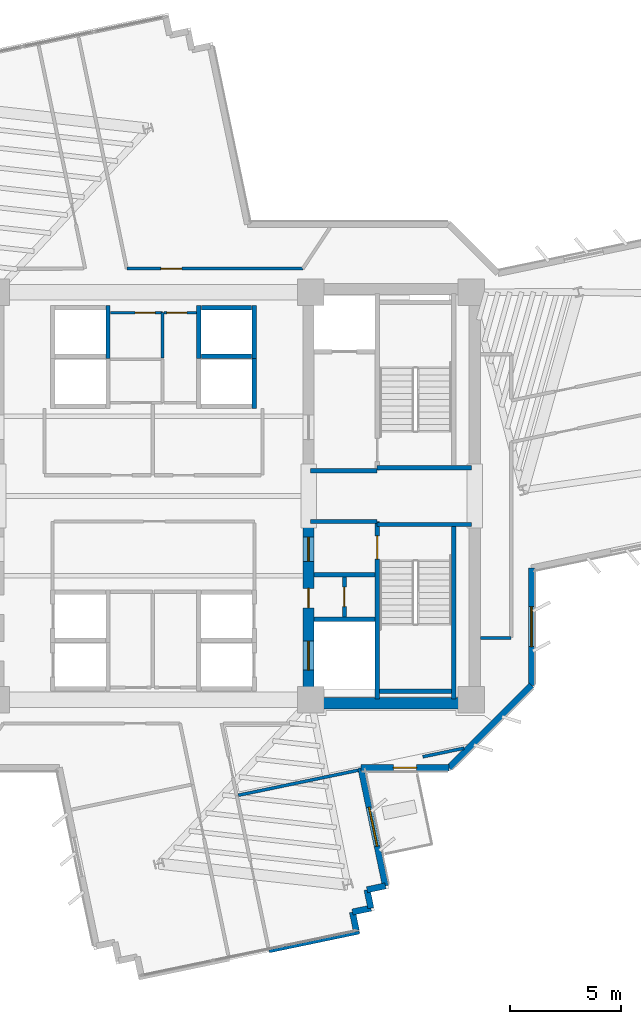
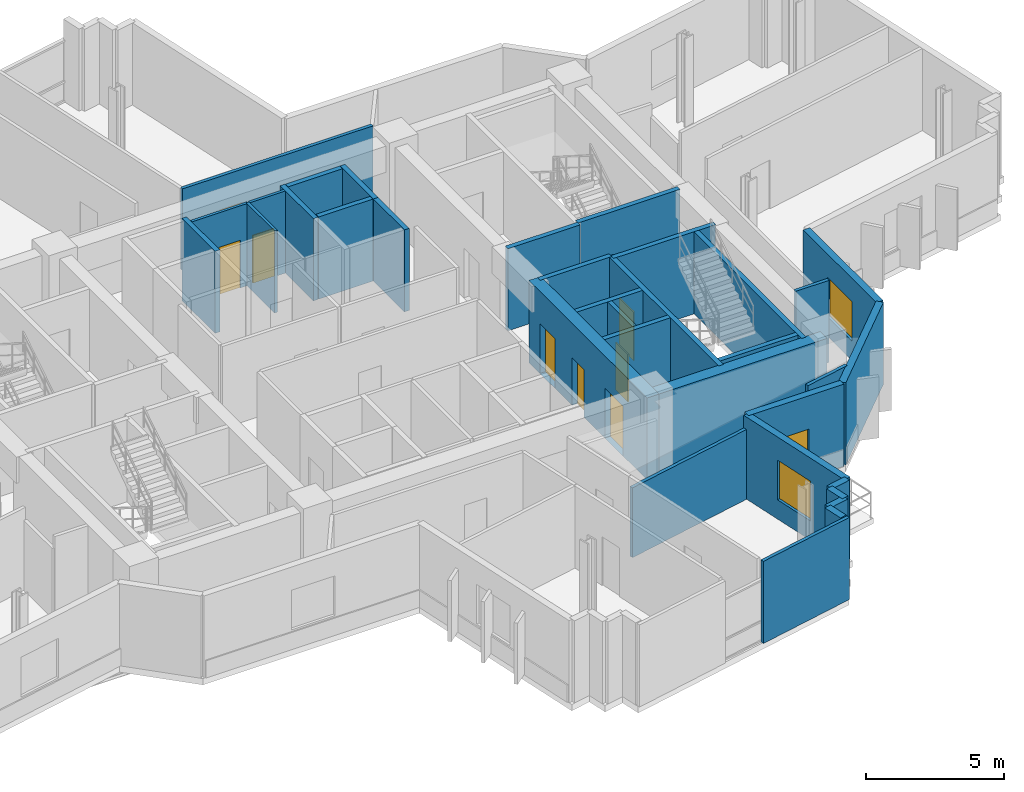
# One storey, part 9 of 14: 34 walls, 9 doors, 2 windows, 11 openings.
"""IFC4 building model written with IfcOpenShell, lengths in metres."""

from ifc_helpers import new_model, si_unit, direction, frame, frame_2d, origin, place, context, subcontext, project, spatial, rectangle, extrude, source, transform, mapped, material, layer, layer_set, type_object, element, fill, save


model = new_model("IFC4")

# Units and contexts
model_context = context("Model", 3, precision=1e-05, world=origin(), true_north=direction((0.0, 1.0)))
body_context = subcontext(model_context, "Body", "Model", "MODEL_VIEW")
ifc_project = project(units=[si_unit("LENGTHUNIT", "METRE"), si_unit("AREAUNIT", "SQUARE_METRE"), si_unit("VOLUMEUNIT", "CUBIC_METRE"), si_unit("PLANEANGLEUNIT", "RADIAN"), si_unit("MASSUNIT", "GRAM", prefix="KILO")], contexts=[model_context])

# Site, building, storey
site_placement = place(None, origin())
site = spatial("IfcSite", under=ifc_project, at=site_placement, CompositionType="ELEMENT")
building_placement = place(site_placement, origin())
building = spatial("IfcBuilding", under=site, at=building_placement, Name="Zahravan Cultural Tower", CompositionType="ELEMENT")
storey_placement = place(building_placement, frame((0.0, 0.0, 162.89990234375)))
storey = spatial("IfcBuildingStorey", under=building, at=storey_placement, Name="L37", CompositionType="ELEMENT", Elevation=162.89990234375)

# Wall, openings, doors
ifc_material_1 = material(Name="Concrete C60/75", Category="concrete")
ifc_layer_1 = layer(ifc_material_1, 0.5)
ifc_layer_set_1 = layer_set([ifc_layer_1], Name="Concrete C60/75")
wall_type_1 = type_object("IfcWallType", Name="CW-SHEAR-500-C60", PredefinedType="SHEAR", material=ifc_layer_set_1)
wall_1_placement = place(storey_placement, frame((43.0, 17.39990234375, 0.0), z_axis=(0.0, 0.0, 1.0), x_axis=(0.0, 1.0, 0.0)))
wall_1 = element("IfcWall", 1, at=wall_1_placement, inside=storey, type_object=wall_type_1, Name="L37 Core Shear Wall CW-E-WS-L37", PredefinedType="SHEAR", context=body_context, shape_type="SweptSolid", body=[
    extrude(rectangle(XDim=8.550048828125, YDim=0.5, at=frame_2d((4.27490234375, 0.0))), origin(), (0.0, 0.0, 1.0), 3.6201171875),
])
opening_1_placement = place(wall_1_placement, frame((6.64990234375, 0.0, 0.0)))
opening_1 = element("IfcOpeningElement", 2, at=opening_1_placement, cuts=wall_1, Name="Opening D-L37-08", PredefinedType="OPENING", context=body_context, shape_type="SweptSolid", body=[
    extrude(rectangle(XDim=1.10009765625, YDim=2.199951171875, at=frame_2d((0.550048828125, 1.10009765625))), frame((0.0, 0.260009765625, 0.0), z_axis=(0.0, -1.0, 0.0), x_axis=(1.0, 0.0, 0.0)), (0.0, 0.0, 1.0), 0.52001953125),
])
opening_2_placement = place(wall_1_placement, frame((1.75, 0.0, 0.0)))
opening_2 = element("IfcOpeningElement", 3, at=opening_2_placement, cuts=wall_1, Name="Opening LD-L37-03", PredefinedType="OPENING", context=body_context, shape_type="SweptSolid", body=[
    extrude(rectangle(XDim=1.300048828125, YDim=2.199951171875, at=frame_2d((0.64990234375, 1.10009765625))), frame((0.0, 0.260009765625, 0.0), z_axis=(0.0, -1.0, 0.0), x_axis=(1.0, 0.0, 0.0)), (0.0, 0.0, 1.0), 0.52001953125),
])
opening_3_placement = place(wall_1_placement, frame((4.550048828125, 0.0, 0.0)))
opening_3 = element("IfcOpeningElement", 4, at=opening_3_placement, cuts=wall_1, Name="Opening D-L37-11", PredefinedType="OPENING", context=body_context, shape_type="SweptSolid", body=[
    extrude(rectangle(XDim=0.8798828125, YDim=2.10009765625, at=frame_2d((0.43994140625, 1.050048828125))), frame((0.0, 0.260009765625, 0.0), z_axis=(0.0, -1.0, 0.0), x_axis=(1.0, 0.0, 0.0)), (0.0, 0.0, 1.0), 0.52001953125),
])
ifc_material_2 = material(Name="Steel ASTM A572 Grade 50", Category="steel")
door_type_1 = type_object("IfcDoorType", Name="DR-LOBBY-1100", OperationType="NOTDEFINED", PredefinedType="DOOR", material=ifc_material_2)
shared_shape_1 = source(origin(), body_context, "Body", "SweptSolid", [
    extrude(rectangle(XDim=1.10009765625, YDim=2.199951171875, at=frame_2d((0.550048828125, 1.10009765625))), frame((0.0, 0.02490234375, 0.0), z_axis=(0.0, -1.0, 0.0), x_axis=(1.0, 0.0, 0.0)), (0.0, 0.0, 1.0), 0.050048828125),
])
door_1_placement = place(opening_1_placement, origin())
door_1 = element("IfcDoor", 5, at=door_1_placement, inside=storey, type_object=door_type_1, Name="L37 Door D-L37-08", OperationType="SINGLE_SWING_RIGHT", OverallHeight=2.199951171875, OverallWidth=1.10009765625, PredefinedType="DOOR", context=body_context, shape_type="MappedRepresentation", body=[
    mapped(shared_shape_1, transform((0.0, 0.0, 0.0), x_axis=(1.0, 0.0, 0.0), y_axis=(0.0, 1.0, 0.0), z_axis=(0.0, 0.0, 1.0), scale=1.0)),
])
fill(opening_1, door_1)
door_type_2 = type_object("IfcDoorType", Name="DR-LIFT-1300", OperationType="DOUBLE_DOOR_SLIDING", PredefinedType="DOOR", material=ifc_material_2)
shared_shape_2 = source(origin(), body_context, "Body", "SweptSolid", [
    extrude(rectangle(XDim=1.300048828125, YDim=2.199951171875, at=frame_2d((0.64990234375, 1.10009765625))), frame((0.0, 0.02490234375, 0.0), z_axis=(0.0, -1.0, 0.0), x_axis=(1.0, 0.0, 0.0)), (0.0, 0.0, 1.0), 0.050048828125),
])
door_2_placement = place(opening_2_placement, origin())
door_2 = element("IfcDoor", 6, at=door_2_placement, inside=storey, type_object=door_type_2, Name="L37 Door LD-L37-03", OperationType="DOUBLE_DOOR_SLIDING", OverallHeight=2.199951171875, OverallWidth=1.300048828125, PredefinedType="DOOR", context=body_context, shape_type="MappedRepresentation", body=[
    mapped(shared_shape_2, transform((0.0, 0.0, 0.0), x_axis=(1.0, 0.0, 0.0), y_axis=(0.0, 1.0, 0.0), z_axis=(0.0, 0.0, 1.0), scale=1.0)),
])
fill(opening_2, door_2)
door_type_3 = type_object("IfcDoorType", Name="DR-SVC-880", OperationType="NOTDEFINED", PredefinedType="DOOR", material=ifc_material_2)
shared_shape_3 = source(origin(), body_context, "Body", "SweptSolid", [
    extrude(rectangle(XDim=0.8798828125, YDim=2.10009765625, at=frame_2d((0.43994140625, 1.050048828125))), frame((0.0, 0.02490234375, 0.0), z_axis=(0.0, -1.0, 0.0), x_axis=(1.0, 0.0, 0.0)), (0.0, 0.0, 1.0), 0.050048828125),
])
door_3_placement = place(opening_3_placement, origin())
door_3 = element("IfcDoor", 7, at=door_3_placement, inside=storey, type_object=door_type_3, Name="L37 Door D-L37-11", OperationType="SINGLE_SWING_LEFT", OverallHeight=2.10009765625, OverallWidth=0.8798828125, PredefinedType="DOOR", context=body_context, shape_type="MappedRepresentation", body=[
    mapped(shared_shape_3, transform((0.0, 0.0, 0.0), x_axis=(1.0, 0.0, 0.0), y_axis=(0.0, 1.0, 0.0), z_axis=(0.0, 0.0, 1.0), scale=1.0)),
])
fill(opening_3, door_3)

# Wall, opening, window
ifc_material_3 = material(Name="Precast concrete C40/50", Category="concrete")
ifc_layer_2 = layer(ifc_material_3, 0.280029296875)
ifc_layer_set_2 = layer_set([ifc_layer_2], Name="Precast concrete C40/50")
wall_type_2 = type_object("IfcWallType", Name="EW-TC-280", PredefinedType="SOLIDWALL", material=ifc_layer_set_2)
wall_2_placement = place(storey_placement, frame((53.06005859375, 23.75439453125, 0.0), z_axis=(0.0, 0.0, 1.0), x_axis=(0.0, -1.0, 0.0)))
wall_2 = element("IfcWall", 8, at=wall_2_placement, inside=storey, type_object=wall_type_2, Name="L37 Exterior Masonry Frame Wall 12", PredefinedType="SOLIDWALL", context=body_context, shape_type="SweptSolid", body=[
    extrude(rectangle(XDim=5.29638671875, YDim=0.280029296875, at=frame_2d((2.648193359375, 0.0))), origin(), (0.0, 0.0, 1.0), 3.6201171875),
])
opening_4_placement = place(wall_2_placement, frame((1.748046875, 0.0, 0.85009765625)))
opening_4 = element("IfcOpeningElement", 9, at=opening_4_placement, cuts=wall_2, Name="Opening WN-02", PredefinedType="OPENING", context=body_context, shape_type="SweptSolid", body=[
    extrude(rectangle(XDim=1.800048828125, YDim=1.75, at=frame_2d((0.89990234375, 0.875))), frame((0.0, 0.14990234375, 0.0), z_axis=(0.0, -1.0, 0.0), x_axis=(1.0, 0.0, 0.0)), (0.0, 0.0, 1.0), 0.300048828125),
])
ifc_material_4 = material(Name="Low-E solar-control double glazing", Category="glass")
window_type = type_object("IfcWindowType", Name="WN-REC-1800X1750", PartitioningType="DOUBLE_PANEL_VERTICAL", PredefinedType="WINDOW", material=ifc_material_4)
shared_shape_4 = source(origin(), body_context, "Body", "SweptSolid", [
    extrude(rectangle(XDim=1.800048828125, YDim=1.75, at=frame_2d((0.89990234375, 0.875))), frame((0.0, 0.030029296875, 0.0), z_axis=(0.0, -1.0, 0.0), x_axis=(1.0, 0.0, 0.0)), (0.0, 0.0, 1.0), 0.06005859375),
])
window_1_placement = place(opening_4_placement, origin())
window_1 = element("IfcWindow", 10, at=window_1_placement, inside=storey, type_object=window_type, Name="L37 Recessed Solar Window 03", OverallHeight=1.75, OverallWidth=1.800048828125, PartitioningType="DOUBLE_PANEL_VERTICAL", PredefinedType="WINDOW", context=body_context, shape_type="MappedRepresentation", body=[
    mapped(shared_shape_4, transform((0.0, 0.0, 0.0), x_axis=(1.0, 0.0, 0.0), y_axis=(0.0, 1.0, 0.0), z_axis=(0.0, 0.0, 1.0), scale=1.0)),
])
fill(opening_4, window_1)

# Wall, opening, door
wall_3_placement = place(storey_placement, frame((49.342041015625, 14.739990234375, 0.0), z_axis=(0.0, 0.0, 1.0), x_axis=(-1.0, 0.0, 0.0)))
wall_3 = element("IfcWall", 11, at=wall_3_placement, inside=storey, type_object=wall_type_2, Name="L37 Exterior Masonry Frame Wall 14", PredefinedType="SOLIDWALL", context=body_context, shape_type="SweptSolid", body=[
    extrude(rectangle(XDim=3.98193359375, YDim=0.280029296875, at=frame_2d((1.990966796875, 0.0))), origin(), (0.0, 0.0, 1.0), 3.6201171875),
])
opening_5_placement = place(wall_3_placement, frame((1.466064453125, 0.0, 0.0)))
opening_5 = element("IfcOpeningElement", 12, at=opening_5_placement, cuts=wall_3, Name="Opening D-L37-TR-SE", PredefinedType="OPENING", context=body_context, shape_type="SweptSolid", body=[
    extrude(rectangle(XDim=1.050048828125, YDim=2.14990234375, at=frame_2d((0.52490234375, 1.074951171875))), frame((0.0, 0.14990234375, 0.0), z_axis=(0.0, -1.0, 0.0), x_axis=(1.0, 0.0, 0.0)), (0.0, 0.0, 1.0), 0.300048828125),
])
ifc_material_5 = material(Name="Anodised bronze-aluminium mullion", Category="aluminium")
door_type_4 = type_object("IfcDoorType", Name="DR-TERR-1050", OperationType="NOTDEFINED", PredefinedType="DOOR", material=ifc_material_5)
shared_shape_5 = source(origin(), body_context, "Body", "SweptSolid", [
    extrude(rectangle(XDim=1.050048828125, YDim=2.14990234375, at=frame_2d((0.52490234375, 1.074951171875))), frame((0.0, 0.02490234375, 0.0), z_axis=(0.0, -1.0, 0.0), x_axis=(1.0, 0.0, 0.0)), (0.0, 0.0, 1.0), 0.050048828125),
])
door_4_placement = place(opening_5_placement, origin())
door_4 = element("IfcDoor", 13, at=door_4_placement, inside=storey, type_object=door_type_4, Name="L37 Terrace Access Door SE", OperationType="SINGLE_SWING_RIGHT", OverallHeight=2.14990234375, OverallWidth=1.050048828125, PredefinedType="DOOR", context=body_context, shape_type="MappedRepresentation", body=[
    mapped(shared_shape_5, transform((0.0, 0.0, 0.0), x_axis=(1.0, 0.0, 0.0), y_axis=(0.0, 1.0, 0.0), z_axis=(0.0, 0.0, 1.0), scale=1.0)),
])
fill(opening_5, door_4)

# Wall, opening, window
wall_4_placement = place(storey_placement, frame((45.360107421875, 14.739990234375, 0.0), z_axis=(0.0, 0.0, 1.0), x_axis=(0.204151126022, -0.978939384101, 0.0)))
wall_4 = element("IfcWall", 14, at=wall_4_placement, inside=storey, type_object=wall_type_2, Name="L37 Exterior Masonry Frame Wall 15", PredefinedType="SOLIDWALL", context=body_context, shape_type="SweptSolid", body=[
    extrude(rectangle(XDim=5.447265625, YDim=0.280029296875, at=frame_2d((2.7236328125, 0.0))), origin(), (0.0, 0.0, 1.0), 3.6201171875),
])
opening_6_placement = place(wall_4_placement, frame((1.823974609375, 0.0, 0.85009765625)))
opening_6 = element("IfcOpeningElement", 15, at=opening_6_placement, cuts=wall_4, Name="Opening WN-02", PredefinedType="OPENING", context=body_context, shape_type="SweptSolid", body=[
    extrude(rectangle(XDim=1.800048828125, YDim=1.75, at=frame_2d((0.89990234375, 0.875))), frame((0.0, 0.14990234375, 0.0), z_axis=(0.0, -1.0, 0.0), x_axis=(1.0, 0.0, 0.0)), (0.0, 0.0, 1.0), 0.300048828125),
])
window_2_placement = place(opening_6_placement, origin())
window_2 = element("IfcWindow", 16, at=window_2_placement, inside=storey, type_object=window_type, Name="L37 Recessed Solar Window 04", OverallHeight=1.75, OverallWidth=1.800048828125, PartitioningType="DOUBLE_PANEL_VERTICAL", PredefinedType="WINDOW", context=body_context, shape_type="MappedRepresentation", body=[
    mapped(shared_shape_4, transform((0.0, 0.0, 0.0), x_axis=(1.0, 0.0, 0.0), y_axis=(0.0, 1.0, 0.0), z_axis=(0.0, 0.0, 1.0), scale=1.0)),
])
fill(opening_6, window_2)

# Wall, opening, door
ifc_material_6 = material(Name="Gypsum plasterboard partition")
ifc_layer_3 = layer(ifc_material_6, 0.179931640625)
ifc_layer_set_3 = layer_set([ifc_layer_3], Name="Gypsum plasterboard partition")
wall_type_3 = type_object("IfcWallType", Name="W-COMP-180", PredefinedType="PARTITIONING", material=ifc_layer_set_3)
wall_5_placement = place(storey_placement, frame((44.6201171875, 21.550048828125, 0.0), z_axis=(0.0, 0.0, 1.0), x_axis=(0.0, 1.0, 0.0)))
wall_5 = element("IfcWall", 17, at=wall_5_placement, inside=storey, type_object=wall_type_3, Name="L37 Interior Wall 027", PredefinedType="PARTITIONING", context=body_context, shape_type="SweptSolid", body=[
    extrude(rectangle(XDim=1.800048828125, YDim=0.179931640625, at=frame_2d((0.89990234375, 0.0))), origin(), (0.0, 0.0, 1.0), 3.6201171875),
])
opening_7_placement = place(wall_5_placement, frame((0.4599609375, 0.0, 0.0)))
opening_7 = element("IfcOpeningElement", 18, at=opening_7_placement, cuts=wall_5, Name="Opening D-L37-12", PredefinedType="OPENING", context=body_context, shape_type="SweptSolid", body=[
    extrude(rectangle(XDim=0.8798828125, YDim=2.10009765625, at=frame_2d((0.43994140625, 1.050048828125))), frame((0.0, 0.099853515625, 0.0), z_axis=(0.0, -1.0, 0.0), x_axis=(1.0, 0.0, 0.0)), (0.0, 0.0, 1.0), 0.199951171875),
])
door_5_placement = place(opening_7_placement, origin())
door_5 = element("IfcDoor", 19, at=door_5_placement, inside=storey, type_object=door_type_3, Name="L37 Door D-L37-12", OperationType="SINGLE_SWING_RIGHT", OverallHeight=2.10009765625, OverallWidth=0.8798828125, PredefinedType="DOOR", context=body_context, shape_type="MappedRepresentation", body=[
    mapped(shared_shape_3, transform((0.0, 0.0, 0.0), x_axis=(1.0, 0.0, 0.0), y_axis=(0.0, 1.0, 0.0), z_axis=(0.0, 0.0, 1.0), scale=1.0)),
])
fill(opening_7, door_5)

ifc_layer_4 = layer(ifc_material_6, 0.139892578125)
ifc_layer_set_4 = layer_set([ifc_layer_4], Name="Gypsum plasterboard partition")
wall_type_4 = type_object("IfcWallType", Name="W-PART-140", PredefinedType="PARTITIONING", material=ifc_layer_set_4)
wall_6_placement = place(storey_placement, frame((42.7421875, 37.260009765625, 0.0), z_axis=(0.0, 0.0, 1.0), x_axis=(-1.0, 0.0, 0.0)))
wall_6 = element("IfcWall", 20, at=wall_6_placement, inside=storey, type_object=wall_type_4, Name="L37 Interior Wall 088", PredefinedType="PARTITIONING", context=body_context, shape_type="SweptSolid", body=[
    extrude(rectangle(XDim=7.942138671875, YDim=0.139892578125, at=frame_2d((3.97119140625, 0.0))), origin(), (0.0, 0.0, 1.0), 3.6201171875),
])
opening_8_placement = place(wall_6_placement, frame((5.453857421875, 0.0, 0.0)))
opening_8 = element("IfcOpeningElement", 21, at=opening_8_placement, cuts=wall_6, Name="Opening D-L37-22", PredefinedType="OPENING", context=body_context, shape_type="SweptSolid", body=[
    extrude(rectangle(XDim=0.949951171875, YDim=2.14990234375, at=frame_2d((0.47509765625, 1.074951171875))), frame((0.0, 0.079833984375, 0.0), z_axis=(0.0, -1.0, 0.0), x_axis=(1.0, 0.0, 0.0)), (0.0, 0.0, 1.0), 0.159912109375),
])
door_type_5 = type_object("IfcDoorType", Name="DR-ROOM-950", OperationType="NOTDEFINED", PredefinedType="DOOR", material=ifc_material_5)
shared_shape_6 = source(origin(), body_context, "Body", "SweptSolid", [
    extrude(rectangle(XDim=0.949951171875, YDim=2.14990234375, at=frame_2d((0.47509765625, 1.074951171875))), frame((0.0, 0.02490234375, 0.0), z_axis=(0.0, -1.0, 0.0), x_axis=(1.0, 0.0, 0.0)), (0.0, 0.0, 1.0), 0.050048828125),
])
door_6_placement = place(opening_8_placement, origin())
door_6 = element("IfcDoor", 22, at=door_6_placement, inside=storey, type_object=door_type_5, Name="L37 Door D-L37-22", OperationType="SINGLE_SWING_RIGHT", OverallHeight=2.14990234375, OverallWidth=0.949951171875, PredefinedType="DOOR", context=body_context, shape_type="MappedRepresentation", body=[
    mapped(shared_shape_6, transform((0.0, 0.0, 0.0), x_axis=(1.0, 0.0, 0.0), y_axis=(0.0, 1.0, 0.0), z_axis=(0.0, 0.0, 1.0), scale=1.0)),
])
fill(opening_8, door_6)

ifc_material_7 = material(Name="Concrete C45/55", Category="concrete")
ifc_layer_5 = layer(ifc_material_7, 0.199951171875)
ifc_layer_set_5 = layer_set([ifc_layer_5], Name="Concrete C45/55")
wall_type_5 = type_object("IfcWallType", Name="W-SHAFT-200", PredefinedType="SOLIDWALL", material=ifc_layer_set_5)
wall_7_placement = place(storey_placement, frame((46.10009765625, 17.85009765625, 0.0), z_axis=(0.0, 0.0, 1.0), x_axis=(0.0, 1.0, 0.0)))
wall_7 = element("IfcWall", 23, at=wall_7_placement, inside=storey, type_object=wall_type_5, Name="L37 Interior Wall 007", PredefinedType="SOLIDWALL", context=body_context, shape_type="SweptSolid", body=[
    extrude(rectangle(XDim=8.0, YDim=0.199951171875, at=frame_2d((4.0, 0.0))), origin(), (0.0, 0.0, 1.0), 3.6201171875),
])
opening_9_placement = place(wall_7_placement, frame((6.300048828125, 0.0, 0.0)))
opening_9 = element("IfcOpeningElement", 24, at=opening_9_placement, cuts=wall_7, Name="Opening D-L37-03", PredefinedType="OPENING", context=body_context, shape_type="SweptSolid", body=[
    extrude(rectangle(XDim=1.050048828125, YDim=2.14990234375, at=frame_2d((0.52490234375, 1.074951171875))), frame((0.0, 0.10986328125, 0.0), z_axis=(0.0, -1.0, 0.0), x_axis=(1.0, 0.0, 0.0)), (0.0, 0.0, 1.0), 0.219970703125),
])
door_type_6 = type_object("IfcDoorType", Name="DR-STAIR-1050", OperationType="NOTDEFINED", PredefinedType="DOOR", material=ifc_material_2)
door_7_placement = place(opening_9_placement, origin())
door_7 = element("IfcDoor", 25, at=door_7_placement, inside=storey, type_object=door_type_6, Name="L37 Door D-L37-03", OperationType="SINGLE_SWING_LEFT", OverallHeight=2.14990234375, OverallWidth=1.050048828125, PredefinedType="DOOR", context=body_context, shape_type="MappedRepresentation", body=[
    mapped(shared_shape_5, transform((0.0, 0.0, 0.0), x_axis=(1.0, 0.0, 0.0), y_axis=(0.0, 1.0, 0.0), z_axis=(0.0, 0.0, 1.0), scale=1.0)),
])
fill(opening_9, door_7)

ifc_layer_6 = layer(ifc_material_6, 0.114990234375)
ifc_layer_set_6 = layer_set([ifc_layer_6], Name="Gypsum plasterboard partition")
wall_type_6 = type_object("IfcWallType", Name="W-WC-115", PredefinedType="PARTITIONING", material=ifc_layer_set_6)
wall_8_placement = place(storey_placement, frame((34.054931640625, 35.280029296875, 0.0), z_axis=(0.0, 0.0, 1.0), x_axis=(1.0, 0.0, 0.0)))
wall_8 = element("IfcWall", 26, at=wall_8_placement, inside=storey, type_object=wall_type_6, Name="L37 Interior Wall 059", PredefinedType="PARTITIONING", context=body_context, shape_type="SweptSolid", body=[
    extrude(rectangle(XDim=2.35498046875, YDim=0.114990234375, at=frame_2d((1.177490234375, 0.0))), origin(), (0.0, 0.0, 1.0), 3.6201171875),
])
opening_10_placement = place(wall_8_placement, frame((1.120849609375, 0.0, 0.0)))
opening_10 = element("IfcOpeningElement", 27, at=opening_10_placement, cuts=wall_8, Name="Opening D-L37-14", PredefinedType="OPENING", context=body_context, shape_type="SweptSolid", body=[
    extrude(rectangle(XDim=0.89990234375, YDim=2.10009765625, at=frame_2d((0.449951171875, 1.050048828125))), frame((0.0, 0.0673828125, 0.0), z_axis=(0.0, -1.0, 0.0), x_axis=(1.0, 0.0, 0.0)), (0.0, 0.0, 1.0), 0.135009765625),
])
door_type_7 = type_object("IfcDoorType", Name="DR-WC-900", OperationType="NOTDEFINED", PredefinedType="DOOR", material=ifc_material_5)
shared_shape_7 = source(origin(), body_context, "Body", "SweptSolid", [
    extrude(rectangle(XDim=0.89990234375, YDim=2.10009765625, at=frame_2d((0.449951171875, 1.050048828125))), frame((0.0, 0.02490234375, 0.0), z_axis=(0.0, -1.0, 0.0), x_axis=(1.0, 0.0, 0.0)), (0.0, 0.0, 1.0), 0.050048828125),
])
door_8_placement = place(opening_10_placement, origin())
door_8 = element("IfcDoor", 28, at=door_8_placement, inside=storey, type_object=door_type_7, Name="L37 Door D-L37-14", OperationType="SINGLE_SWING_RIGHT", OverallHeight=2.10009765625, OverallWidth=0.89990234375, PredefinedType="DOOR", context=body_context, shape_type="MappedRepresentation", body=[
    mapped(shared_shape_7, transform((0.0, 0.0, 0.0), x_axis=(1.0, 0.0, 0.0), y_axis=(0.0, 1.0, 0.0), z_axis=(0.0, 0.0, 1.0), scale=1.0)),
])
fill(opening_10, door_8)

wall_9_placement = place(storey_placement, frame((36.472412109375, 35.280029296875, 0.0), z_axis=(0.0, 0.0, 1.0), x_axis=(1.0, 0.0, 0.0)))
wall_9 = element("IfcWall", 29, at=wall_9_placement, inside=storey, type_object=wall_type_6, Name="L37 Interior Wall 062", PredefinedType="PARTITIONING", context=body_context, shape_type="SweptSolid", body=[
    extrude(rectangle(XDim=1.47265625, YDim=0.114990234375, at=frame_2d((0.736328125, 0.0))), origin(), (0.0, 0.0, 1.0), 3.6201171875),
])
opening_11_placement = place(wall_9_placement, frame((0.139892578125, 0.0, 0.0)))
opening_11 = element("IfcOpeningElement", 30, at=opening_11_placement, cuts=wall_9, Name="Opening D-L37-15", PredefinedType="OPENING", context=body_context, shape_type="SweptSolid", body=[
    extrude(rectangle(XDim=0.89990234375, YDim=2.10009765625, at=frame_2d((0.449951171875, 1.050048828125))), frame((0.0, 0.0673828125, 0.0), z_axis=(0.0, -1.0, 0.0), x_axis=(1.0, 0.0, 0.0)), (0.0, 0.0, 1.0), 0.135009765625),
])
door_9_placement = place(opening_11_placement, origin())
door_9 = element("IfcDoor", 31, at=door_9_placement, inside=storey, type_object=door_type_7, Name="L37 Door D-L37-15", OperationType="SINGLE_SWING_LEFT", OverallHeight=2.10009765625, OverallWidth=0.89990234375, PredefinedType="DOOR", context=body_context, shape_type="MappedRepresentation", body=[
    mapped(shared_shape_7, transform((0.0, 0.0, 0.0), x_axis=(1.0, 0.0, 0.0), y_axis=(0.0, 1.0, 0.0), z_axis=(0.0, 0.0, 1.0), scale=1.0)),
])
fill(opening_11, door_9)

# Walls
shared_shape_8 = source(origin(), body_context, "Body", "SweptSolid", [
    extrude(rectangle(XDim=7.0, YDim=0.5, at=frame_2d((3.5, 0.0))), origin(), (0.0, 0.0, 1.0), 3.6201171875),
])
wall_10_placement = place(storey_placement, frame((43.25, 17.64990234375, 0.0), z_axis=(0.0, 0.0, 1.0), x_axis=(1.0, 0.0, 0.0)))
element("IfcWall", 32, at=wall_10_placement, inside=storey, type_object=wall_type_1, Name="L37 Core Shear Wall CW-E-S-L37", PredefinedType="SHEAR", context=body_context, shape_type="MappedRepresentation", body=[
    mapped(shared_shape_8, transform((0.0, 0.0, 0.0), x_axis=(1.0, 0.0, 0.0), y_axis=(0.0, 1.0, 0.0), z_axis=(0.0, 0.0, 1.0), scale=1.0)),
])
shared_shape_9 = source(origin(), body_context, "Body", "SweptSolid", [
    extrude(rectangle(XDim=0.85009765625, YDim=0.280029296875, at=frame_2d((0.425048828125, 0.0))), origin(), (0.0, 0.0, 1.0), 3.6201171875),
])
wall_11_placement = place(storey_placement, frame((45.813720703125, 8.40185546875, 0.0), z_axis=(0.0, 0.0, 1.0), x_axis=(-0.97893500384, -0.204172128991, 0.0)))
element("IfcWall", 33, at=wall_11_placement, inside=storey, type_object=wall_type_2, Name="L37 Exterior Masonry Frame Wall 18", PredefinedType="SOLIDWALL", context=body_context, shape_type="MappedRepresentation", body=[
    mapped(shared_shape_9, transform((0.0, 0.0, 0.0), x_axis=(1.0, 0.0, 0.0), y_axis=(0.0, 1.0, 0.0), z_axis=(0.0, 0.0, 1.0), scale=1.0)),
])
shared_shape_10 = source(origin(), body_context, "Body", "SweptSolid", [
    extrude(rectangle(XDim=5.258056640625, YDim=0.280029296875, at=frame_2d((2.62890625, 0.0))), origin(), (0.0, 0.0, 1.0), 3.6201171875),
])
wall_12_placement = place(storey_placement, frame((53.06005859375, 18.4580078125, 0.0), z_axis=(0.0, 0.0, 1.0), x_axis=(-0.707106781187, -0.707106781187, 0.0)))
element("IfcWall", 34, at=wall_12_placement, inside=storey, type_object=wall_type_2, Name="L37 Exterior Masonry Frame Wall 13", PredefinedType="SOLIDWALL", context=body_context, shape_type="MappedRepresentation", body=[
    mapped(shared_shape_10, transform((0.0, 0.0, 0.0), x_axis=(1.0, 0.0, 0.0), y_axis=(0.0, 1.0, 0.0), z_axis=(0.0, 0.0, 1.0), scale=1.0)),
])
shared_shape_11 = source(origin(), body_context, "Body", "SweptSolid", [
    extrude(rectangle(XDim=0.849853515625, YDim=0.280029296875, at=frame_2d((0.4248046875, 0.0))), origin(), (0.0, 0.0, 1.0), 3.6201171875),
])
for number, where, z_axis, x_axis, name in (
    (35, (46.47216796875, 9.407470703125, 0.0), (0.0, 0.0, 1.0), (-0.978923028084, -0.20422954019, 0.0), "L37 Exterior Masonry Frame Wall 16"),
    (36, (45.64013671875, 9.23388671875, 0.0), (0.0, 0.0, 1.0), (0.20422954019, -0.978923028084, 0.0), "L37 Exterior Masonry Frame Wall 17"),
    (37, (44.9814453125, 8.228271484375, 0.0), (0.0, 0.0, 1.0), (0.20422954019, -0.978923028084, 0.0), "L37 Exterior Masonry Frame Wall 19"),
):
    element("IfcWall", number, at=place(storey_placement, frame(where, z_axis=z_axis, x_axis=x_axis)), inside=storey, type_object=wall_type_2, Name=name, PredefinedType="SOLIDWALL", context=body_context, shape_type="MappedRepresentation", body=[
        mapped(shared_shape_11, transform((0.0, 0.0, 0.0), x_axis=(1.0, 0.0, 0.0), y_axis=(0.0, 1.0, 0.0), z_axis=(0.0, 0.0, 1.0), scale=1.0)),
    ])
shared_shape_12 = source(origin(), body_context, "Body", "SweptSolid", [
    extrude(rectangle(XDim=7.869873046875, YDim=0.199951171875, at=frame_2d((3.93505859375, 0.0))), origin(), (0.0, 0.0, 1.0), 3.6201171875),
])
wall_13_placement = place(storey_placement, frame((49.550048828125, 17.85009765625, 0.0), z_axis=(0.0, 0.0, 1.0), x_axis=(0.0, 1.0, 0.0)))
element("IfcWall", 38, at=wall_13_placement, inside=storey, type_object=wall_type_5, Name="L37 Interior Wall 003", PredefinedType="SOLIDWALL", context=body_context, shape_type="MappedRepresentation", body=[
    mapped(shared_shape_12, transform((0.0, 0.0, 0.0), x_axis=(1.0, 0.0, 0.0), y_axis=(0.0, 1.0, 0.0), z_axis=(0.0, 0.0, 1.0), scale=1.0)),
])
shared_shape_13 = source(origin(), body_context, "Body", "SweptSolid", [
    extrude(rectangle(XDim=4.25, YDim=0.199951171875, at=frame_2d((2.125, 0.0))), origin(), (0.0, 0.0, 1.0), 3.6201171875),
])
for number, where, z_axis, x_axis, name in (
    (39, (46.10009765625, 25.715087890625, 0.0), (0.0, 0.0, 1.0), (1.0, 0.0, 0.0), "L37 Interior Wall 014"),
    (40, (46.10009765625, 28.284912109375, 0.0), (0.0, 0.0, 1.0), (1.0, 0.0, 0.0), "L37 Interior Wall 016"),
):
    element("IfcWall", number, at=place(storey_placement, frame(where, z_axis=z_axis, x_axis=x_axis)), inside=storey, type_object=wall_type_5, Name=name, PredefinedType="SOLIDWALL", context=body_context, shape_type="MappedRepresentation", body=[
        mapped(shared_shape_13, transform((0.0, 0.0, 0.0), x_axis=(1.0, 0.0, 0.0), y_axis=(0.0, 1.0, 0.0), z_axis=(0.0, 0.0, 1.0), scale=1.0)),
    ])
shared_shape_14 = source(origin(), body_context, "Body", "SweptSolid", [
    extrude(rectangle(XDim=3.0, YDim=0.199951171875, at=frame_2d((1.5, 0.0))), origin(), (0.0, 0.0, 1.0), 3.6201171875),
])
for number, where, z_axis, x_axis, name in (
    (41, (43.10009765625, 25.85009765625, 0.0), (0.0, 0.0, 1.0), (1.0, 0.0, 0.0), "L37 Interior Wall 013"),
    (42, (43.10009765625, 28.14990234375, 0.0), (0.0, 0.0, 1.0), (1.0, 0.0, 0.0), "L37 Interior Wall 015"),
):
    element("IfcWall", number, at=place(storey_placement, frame(where, z_axis=z_axis, x_axis=x_axis)), inside=storey, type_object=wall_type_5, Name=name, PredefinedType="SOLIDWALL", context=body_context, shape_type="MappedRepresentation", body=[
        mapped(shared_shape_14, transform((0.0, 0.0, 0.0), x_axis=(1.0, 0.0, 0.0), y_axis=(0.0, 1.0, 0.0), z_axis=(0.0, 0.0, 1.0), scale=1.0)),
    ])
shared_shape_15 = source(origin(), body_context, "Body", "SweptSolid", [
    extrude(rectangle(XDim=3.25, YDim=0.199951171875, at=frame_2d((1.625, 0.0))), origin(), (0.0, 0.0, 1.0), 3.6201171875),
])
wall_14_placement = place(storey_placement, frame((46.199951171875, 18.199951171875, 0.0), z_axis=(0.0, 0.0, 1.0), x_axis=(1.0, 0.0, 0.0)))
element("IfcWall", 43, at=wall_14_placement, inside=storey, type_object=wall_type_5, Name="L37 Interior Wall 020", PredefinedType="SOLIDWALL", context=body_context, shape_type="MappedRepresentation", body=[
    mapped(shared_shape_15, transform((0.0, 0.0, 0.0), x_axis=(1.0, 0.0, 0.0), y_axis=(0.0, 1.0, 0.0), z_axis=(0.0, 0.0, 1.0), scale=1.0)),
])
shared_shape_16 = source(origin(), body_context, "Body", "SweptSolid", [
    extrude(rectangle(XDim=2.75, YDim=0.199951171875, at=frame_2d((1.375, 0.0))), origin(), (0.0, 0.0, 1.0), 3.6201171875),
])
for number, where, z_axis, x_axis, name in (
    (44, (43.25, 23.449951171875, 0.0), (0.0, 0.0, 1.0), (1.0, 0.0, 0.0), "L37 Interior Wall 024"),
    (45, (43.25, 21.449951171875, 0.0), (0.0, 0.0, 1.0), (1.0, 0.0, 0.0), "L37 Interior Wall 025"),
):
    element("IfcWall", number, at=place(storey_placement, frame(where, z_axis=z_axis, x_axis=x_axis)), inside=storey, type_object=wall_type_5, Name=name, PredefinedType="SOLIDWALL", context=body_context, shape_type="MappedRepresentation", body=[
        mapped(shared_shape_16, transform((0.0, 0.0, 0.0), x_axis=(1.0, 0.0, 0.0), y_axis=(0.0, 1.0, 0.0), z_axis=(0.0, 0.0, 1.0), scale=1.0)),
    ])
shared_shape_17 = source(origin(), body_context, "Body", "SweptSolid", [
    extrude(rectangle(XDim=2.400146484375, YDim=0.199951171875, at=frame_2d((1.2001953125, 0.0))), origin(), (0.0, 0.0, 1.0), 3.6201171875),
])
for number, where, z_axis, x_axis, name in (
    (46, (33.949951171875, 33.199951171875, 0.0), (0.0, 0.0, 1.0), (0.0, 1.0, 0.0), "L37 Interior Wall 029"),
    (47, (38.050048828125, 33.199951171875, 0.0), (0.0, 0.0, 1.0), (0.0, 1.0, 0.0), "L37 Interior Wall 035"),
    (48, (40.550048828125, 33.199951171875, 0.0), (0.0, 0.0, 1.0), (0.0, 1.0, 0.0), "L37 Interior Wall 036"),
    (49, (40.550048828125, 30.949951171875, 0.0), (0.0, 0.0, 1.0), (0.0, 1.0, 0.0), "L37 Interior Wall 040"),
):
    element("IfcWall", number, at=place(storey_placement, frame(where, z_axis=z_axis, x_axis=x_axis)), inside=storey, type_object=wall_type_5, Name=name, PredefinedType="SOLIDWALL", context=body_context, shape_type="MappedRepresentation", body=[
        mapped(shared_shape_17, transform((0.0, 0.0, 0.0), x_axis=(1.0, 0.0, 0.0), y_axis=(0.0, 1.0, 0.0), z_axis=(0.0, 0.0, 1.0), scale=1.0)),
    ])
shared_shape_18 = source(origin(), body_context, "Body", "SweptSolid", [
    extrude(rectangle(XDim=2.260009765625, YDim=0.199951171875, at=frame_2d((1.1298828125, 0.0))), origin(), (0.0, 0.0, 1.0), 3.6201171875),
])
for number, where, z_axis, x_axis, name in (
    (50, (38.169921875, 33.300048828125, 0.0), (0.0, 0.0, 1.0), (1.0, 0.0, 0.0), "L37 Interior Wall 037"),
    (51, (38.169921875, 35.5, 0.0), (0.0, 0.0, 1.0), (1.0, 0.0, 0.0), "L37 Interior Wall 038"),
):
    element("IfcWall", number, at=place(storey_placement, frame(where, z_axis=z_axis, x_axis=x_axis)), inside=storey, type_object=wall_type_5, Name=name, PredefinedType="SOLIDWALL", context=body_context, shape_type="MappedRepresentation", body=[
        mapped(shared_shape_18, transform((0.0, 0.0, 0.0), x_axis=(1.0, 0.0, 0.0), y_axis=(0.0, 1.0, 0.0), z_axis=(0.0, 0.0, 1.0), scale=1.0)),
    ])
shared_shape_19 = source(origin(), body_context, "Body", "SweptSolid", [
    extrude(rectangle(XDim=2.0400390625, YDim=0.114990234375, at=frame_2d((1.02001953125, 0.0))), origin(), (0.0, 0.0, 1.0), 3.6201171875),
])
wall_15_placement = place(storey_placement, frame((36.409912109375, 35.280029296875, 0.0), z_axis=(0.0, 0.0, 1.0), x_axis=(0.0, -1.0, 0.0)))
element("IfcWall", 52, at=wall_15_placement, inside=storey, type_object=wall_type_6, Name="L37 Interior Wall 060", PredefinedType="PARTITIONING", context=body_context, shape_type="MappedRepresentation", body=[
    mapped(shared_shape_19, transform((0.0, 0.0, 0.0), x_axis=(1.0, 0.0, 0.0), y_axis=(0.0, 1.0, 0.0), z_axis=(0.0, 0.0, 1.0), scale=1.0)),
])
shared_shape_20 = source(origin(), body_context, "Body", "SweptSolid", [
    extrude(rectangle(XDim=4.16015625, YDim=0.139892578125, at=frame_2d((2.080078125, 0.0))), origin(), (0.0, 0.0, 1.0), 3.6201171875),
])
wall_16_placement = place(storey_placement, frame((45.297119140625, 7.30322265625, 0.0), z_axis=(0.0, 0.0, 1.0), x_axis=(-0.978935967244, -0.204167509744, 0.0)))
element("IfcWall", 53, at=wall_16_placement, inside=storey, type_object=wall_type_4, Name="L37 Interior Wall 084", PredefinedType="PARTITIONING", context=body_context, shape_type="MappedRepresentation", body=[
    mapped(shared_shape_20, transform((0.0, 0.0, 0.0), x_axis=(1.0, 0.0, 0.0), y_axis=(0.0, 1.0, 0.0), z_axis=(0.0, 0.0, 1.0), scale=1.0)),
])
shared_shape_21 = source(origin(), body_context, "Body", "SweptSolid", [
    extrude(rectangle(XDim=1.38916015625, YDim=0.139892578125, at=frame_2d((0.694580078125, 0.0))), origin(), (0.0, 0.0, 1.0), 3.6201171875),
])
wall_17_placement = place(storey_placement, frame((50.7548828125, 20.60009765625, 0.0), z_axis=(0.0, 0.0, 1.0), x_axis=(1.0, 0.0, 0.0)))
element("IfcWall", 54, at=wall_17_placement, inside=storey, type_object=wall_type_4, Name="L37 Interior Wall 093", PredefinedType="PARTITIONING", context=body_context, shape_type="MappedRepresentation", body=[
    mapped(shared_shape_21, transform((0.0, 0.0, 0.0), x_axis=(1.0, 0.0, 0.0), y_axis=(0.0, 1.0, 0.0), z_axis=(0.0, 0.0, 1.0), scale=1.0)),
])
shared_shape_22 = source(origin(), body_context, "Body", "SweptSolid", [
    extrude(rectangle(XDim=1.9033203125, YDim=0.139892578125, at=frame_2d((0.95166015625, 0.0))), origin(), (0.0, 0.0, 1.0), 3.6201171875),
])
wall_18_placement = place(storey_placement, frame((50.019287109375, 15.62255859375, 0.0), z_axis=(0.0, 0.0, 1.0), x_axis=(-0.978929167673, -0.204200109399, 0.0)))
element("IfcWall", 55, at=wall_18_placement, inside=storey, type_object=wall_type_4, Name="L37 Interior Wall 082", PredefinedType="PARTITIONING", context=body_context, shape_type="MappedRepresentation", body=[
    mapped(shared_shape_22, transform((0.0, 0.0, 0.0), x_axis=(1.0, 0.0, 0.0), y_axis=(0.0, 1.0, 0.0), z_axis=(0.0, 0.0, 1.0), scale=1.0)),
])
shared_shape_23 = source(origin(), body_context, "Body", "SweptSolid", [
    extrude(rectangle(XDim=5.52001953125, YDim=0.139892578125, at=frame_2d((2.760009765625, 0.0))), origin(), (0.0, 0.0, 1.0), 3.0791015625),
])
wall_19_placement = place(storey_placement, frame((45.236083984375, 14.625, 0.0), z_axis=(0.0, 0.0, 1.0), x_axis=(-0.97893845252, -0.204155593062, 0.0)))
element("IfcWall", 56, at=wall_19_placement, inside=storey, type_object=wall_type_4, Name="L37 Interior Wall 083", PredefinedType="PARTITIONING", context=body_context, shape_type="MappedRepresentation", body=[
    mapped(shared_shape_23, transform((0.0, 0.0, 0.0), x_axis=(1.0, 0.0, 0.0), y_axis=(0.0, 1.0, 0.0), z_axis=(0.0, 0.0, 1.0), scale=1.0)),
])

save(model, "model.ifc")
